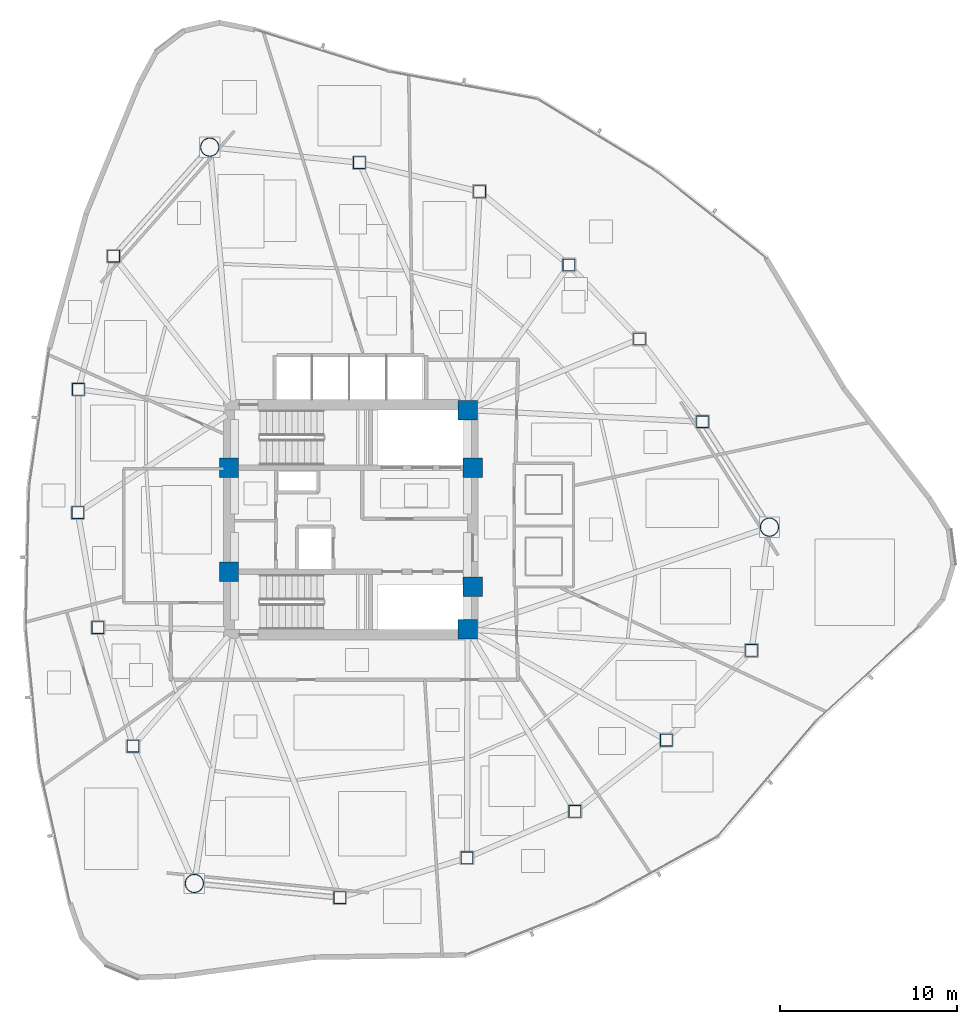
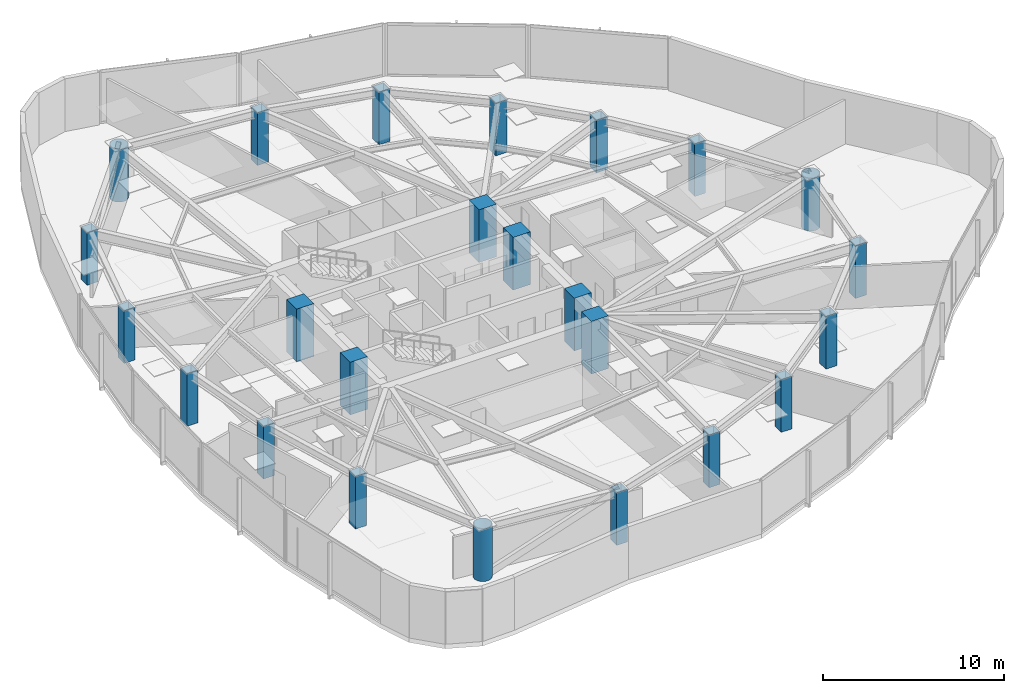
# One storey, part 1 of 16: 24 columns.
"""IFC4 building model written with IfcOpenShell, lengths in metres."""

import ifcopenshell
import ifcopenshell.guid

model = None  # the IFC model being written
_history = None  # IfcOwnerHistory: only IFC2X3 demands one
_inside = {}  # id of a spatial element -> (the spatial element, [elements in it])
_under = {}  # id of a project, library or spatial element -> (it, [spatial elements below it])
_declared = {}  # id of a project -> (the project, [libraries it declares])
_typed = {}  # id of a type object -> (the type object, [elements of that type])
_made_of = {}  # id of a material, layer set ... -> (it, [elements and type objects made of it])


def new_model(schema):
    """Start an empty IFC model of exactly this schema.

    Asked for "IFC4X3", IfcOpenShell would pick the latest addendum, in which some entities
    have other attributes; the version numbers below select the first issue.
    IFC2X3 requires an IfcOwnerHistory on every rooted entity: one is made here for all.
    """
    global model, _history
    if schema == "IFC4X3":
        model = ifcopenshell.file(schema_version=(4, 3, 0, 0))
    else:
        model = ifcopenshell.file(schema=schema)
    _inside.clear()
    _under.clear()
    _declared.clear()
    _typed.clear()
    _made_of.clear()
    _history = None
    if model.schema == "IFC2X3":
        org = make("IfcOrganization", Name="unknown")
        user = make(
            "IfcPersonAndOrganization",
            ThePerson=make("IfcPerson", FamilyName="unknown"),
            TheOrganization=org,
        )
        app = make(
            "IfcApplication",
            ApplicationDeveloper=org,
            Version="unknown",
            ApplicationFullName="unknown",
            ApplicationIdentifier="unknown",
        )
        _history = make(
            "IfcOwnerHistory",
            OwningUser=user,
            OwningApplication=app,
            ChangeAction="ADDED",
            CreationDate=0,
        )
    return model


def make(cls, **values):
    """One entity of the class cls with the attributes given. An attribute that is None is left unset."""
    return model.create_entity(
        cls, **{name: value for name, value in values.items() if value is not None}
    )


def rooted(cls, **values):
    """An entity with a GlobalId (a new one), such as an element, a storey or a relation."""
    return make(cls, GlobalId=ifcopenshell.guid.new(), OwnerHistory=_history, **values)


def si_unit(unit_type, name, prefix=None):
    """IfcSIUnit, for example si_unit("LENGTHUNIT", "METRE", prefix="MILLI")."""
    return make("IfcSIUnit", UnitType=unit_type, Prefix=prefix, Name=name)


def assignment(units):
    """IfcUnitAssignment: the units of a project."""
    return None if units is None else make("IfcUnitAssignment", Units=units)


def point(xyz):
    """IfcCartesianPoint."""
    return None if xyz is None else make("IfcCartesianPoint", Coordinates=xyz)


def direction(xyz):
    """IfcDirection."""
    return None if xyz is None else make("IfcDirection", DirectionRatios=xyz)


def frame(location, z_axis=None, x_axis=None):
    """IfcAxis2Placement3D, a coordinate frame: its origin and axes. An axis left out is left unset."""
    return make(
        "IfcAxis2Placement3D",
        Location=point(location),
        Axis=direction(z_axis),
        RefDirection=direction(x_axis),
    )


def frame_2d(location, x_axis=None):
    """IfcAxis2Placement2D, a coordinate frame in the plane: its origin and x axis."""
    return make(
        "IfcAxis2Placement2D", Location=point(location), RefDirection=direction(x_axis)
    )


def origin():
    """The frame at (0, 0, 0) with its axes left unset."""
    return frame((0.0, 0.0, 0.0))


def origin_2d():
    """The frame at (0, 0) in the plane with its x axis left unset."""
    return frame_2d((0.0, 0.0))


def place(relative_to, where):
    """IfcLocalPlacement: puts the frame where relative to a parent placement (None: the world)."""
    return make(
        "IfcLocalPlacement", PlacementRelTo=relative_to, RelativePlacement=where
    )


def context(
    kind, dimensions, precision=None, world=None, true_north=None, identifier=None
):
    """IfcGeometricRepresentationContext, for example the 3D "Model" context."""
    return make(
        "IfcGeometricRepresentationContext",
        ContextIdentifier=identifier,
        ContextType=kind,
        CoordinateSpaceDimension=dimensions,
        Precision=precision,
        WorldCoordinateSystem=world,
        TrueNorth=true_north,
    )


def subcontext(parent, identifier, kind, view, scale=None):
    """IfcGeometricRepresentationSubContext, for example "Body" below "Model"."""
    return make(
        "IfcGeometricRepresentationSubContext",
        ContextIdentifier=identifier,
        ContextType=kind,
        ParentContext=parent,
        TargetScale=scale,
        TargetView=view,
    )


def project(units=None, contexts=None):
    """IfcProject with its units and contexts."""
    return rooted(
        "IfcProject",
        Name="project",
        RepresentationContexts=contexts,
        UnitsInContext=assignment(units),
    )


def spatial(cls, under=None, at=None, **own):
    """A site, building, storey or space (cls), placed at a placement, below another one or the project."""
    s = rooted(cls, ObjectPlacement=at, **own)
    if under is not None:
        _under.setdefault(under.id(), (under, []))[1].append(s)
    return s


def profile(cls, at=None, kind="AREA", **sizes):
    """A parametric profile (cls). Its sizes go by their IFC names, for example OverallWidth=200.0."""
    return make(cls, ProfileType=kind, Position=at, **sizes)


def rectangle(**sizes):
    """IfcRectangleProfileDef."""
    return profile("IfcRectangleProfileDef", **sizes)


def hollow_rectangle(**sizes):
    """IfcRectangleHollowProfileDef."""
    return profile("IfcRectangleHollowProfileDef", **sizes)


def hollow_circle(**sizes):
    """IfcCircleHollowProfileDef."""
    return profile("IfcCircleHollowProfileDef", **sizes)


def extrude(swept, where, along, depth):
    """IfcExtrudedAreaSolid: the profile swept, set in the frame where, extruded along a direction by depth."""
    return make(
        "IfcExtrudedAreaSolid",
        SweptArea=swept,
        Position=where,
        ExtrudedDirection=direction(along),
        Depth=depth,
    )


def shape(context_of_items, identifier, shape_type, items):
    """IfcShapeRepresentation: the items that make up one representation, for example the "Body"."""
    return make(
        "IfcShapeRepresentation",
        ContextOfItems=context_of_items,
        RepresentationIdentifier=identifier,
        RepresentationType=shape_type,
        Items=items,
    )


def material(Name=None, Category=None):
    """IfcMaterial."""
    return make("IfcMaterial", Name=Name, Category=Category)


def material_profile(
    of_material, cross_section, Name=None, Category=None, Priority=None
):
    """IfcMaterialProfile: a cross section and its material."""
    return make(
        "IfcMaterialProfile",
        Name=Name,
        Material=of_material,
        Profile=cross_section,
        Priority=Priority,
        Category=Category,
    )


def profile_set(profiles, Name=None, composite=None):
    """IfcMaterialProfileSet."""
    return make(
        "IfcMaterialProfileSet",
        Name=Name,
        MaterialProfiles=profiles,
        CompositeProfile=composite,
    )


def made_of(thing, what):
    """Note that an element or type object is made of a material, layer set ...; save() writes the relation."""
    if what is not None:
        _made_of.setdefault(what.id(), (what, []))[1].append(thing)
    return thing


def type_object(cls, material=None, **own):
    """A type object (cls), such as IfcWallType, which elements share."""
    return made_of(rooted(cls, **own), material)


def element(
    cls,
    number,
    at=None,
    inside=None,
    cuts=None,
    type_object=None,
    material=None,
    context=None,
    identifier="Body",
    shape_type=None,
    held_by="IfcProductDefinitionShape",
    body=None,
    shapes=None,
    **own,
):
    """One element of the class cls, such as IfcWall. Its Tag is "e" and its number.

    at: its placement. inside: the storey or other place that contains it. cuts: it is an
    opening in that element (IfcRelVoidsElement). A single representation is given by context,
    identifier, shape_type and body (its items); several are given by shapes. held_by: the class
    of the entity that holds the representations. save() writes the other relations.
    """
    e = rooted(cls, Tag="e%d" % number, ObjectPlacement=at, **own)
    if body is not None:
        shapes = [shape(context, identifier, shape_type, body)]
    if shapes is not None:
        e.Representation = make(held_by, Representations=shapes)
    if inside is not None:
        _inside.setdefault(inside.id(), (inside, []))[1].append(e)
    if cuts is not None:
        rooted(
            "IfcRelVoidsElement", RelatingBuildingElement=cuts, RelatedOpeningElement=e
        )
    if type_object is not None:
        _typed.setdefault(type_object.id(), (type_object, []))[1].append(e)
    return made_of(e, material)


def aggregate(whole, parts):
    """IfcRelAggregates: a whole, such as a stair, and the parts it consists of."""
    return rooted("IfcRelAggregates", RelatingObject=whole, RelatedObjects=parts)


def save(model, path):
    """Write the relations noted so far, then the file.

    IfcRelAggregates (storeys below a building ...), IfcRelContainedInSpatialStructure (elements
    in a storey), IfcRelDefinesByType, IfcRelAssociatesMaterial and IfcRelDeclares: one each for
    every whole, place, type object, material and project.
    """
    for whole, parts in _under.values():
        aggregate(whole, parts)
    for where, things in _inside.values():
        rooted(
            "IfcRelContainedInSpatialStructure",
            RelatedElements=things,
            RelatingStructure=where,
        )
    for kind, things in _typed.values():
        rooted("IfcRelDefinesByType", RelatedObjects=things, RelatingType=kind)
    for what, things in _made_of.values():
        rooted("IfcRelAssociatesMaterial", RelatedObjects=things, RelatingMaterial=what)
    for by, libraries in _declared.values():
        rooted("IfcRelDeclares", RelatingContext=by, RelatedDefinitions=libraries)
    model.write(path)


model = new_model("IFC4")

# Units and contexts
model_context = context("Model", 3, precision=1e-05, world=origin(), true_north=direction((0.0, 1.0)))
body_context = subcontext(model_context, "Body", "Model", "MODEL_VIEW")
ifc_project = project(units=[si_unit("LENGTHUNIT", "METRE"), si_unit("AREAUNIT", "SQUARE_METRE"), si_unit("VOLUMEUNIT", "CUBIC_METRE"), si_unit("PLANEANGLEUNIT", "RADIAN"), si_unit("MASSUNIT", "GRAM", prefix="KILO")], contexts=[model_context])

# Site, building, storey
site_placement = place(None, origin())
site = spatial("IfcSite", under=ifc_project, at=site_placement, CompositionType="ELEMENT")
building_placement = place(site_placement, origin())
building = spatial("IfcBuilding", under=site, at=building_placement, Name="Tavelor Broadcast Tower", CompositionType="ELEMENT")
storey_placement = place(building_placement, frame((0.0, 0.0, 138.699951171875)))
storey = spatial("IfcBuildingStorey", under=building, at=storey_placement, Name="L32", CompositionType="ELEMENT", Elevation=138.699951171875)

# Columns
ifc_material_1 = material(Name="Concrete C60/75", Category="concrete")
ifc_material_profile_1 = material_profile(ifc_material_1, rectangle(XDim=1.10009765625, YDim=1.10009765625, at=origin_2d()), Name="RC 1100x1100")
ifc_profile_set_1 = profile_set([ifc_material_profile_1], Name="Concrete C60/75")
column_type_1 = type_object("IfcColumnType", Name="Core Embedded Composite Column RC1100", PredefinedType="COLUMN", material=ifc_profile_set_1)
for number, where, z_axis, x_axis, name in (
    (1, (43.10009765625, 47.949951171875, 0.0), (0.0, 0.0, 1.0), (1.0, 0.0, 0.0), "L32 Core Embedded Column 1"),
    (2, (56.89990234375, 47.949951171875, 0.0), (0.0, 0.0, 1.0), (1.0, 0.0, 0.0), "L32 Core Embedded Column 2"),
    (3, (56.60009765625, 51.199951171875, 0.0), (0.0, 0.0, 1.0), (1.0, 0.0, 0.0), "L32 Core Embedded Column 3"),
    (4, (43.10009765625, 42.050048828125, 0.0), (0.0, 0.0, 1.0), (1.0, 0.0, 0.0), "L32 Core Embedded Column 4"),
    (5, (56.89990234375, 41.199951171875, 0.0), (0.0, 0.0, 1.0), (1.0, 0.0, 0.0), "L32 Core Embedded Column 5"),
    (6, (56.60009765625, 38.800048828125, 0.0), (0.0, 0.0, 1.0), (1.0, 0.0, 0.0), "L32 Core Embedded Column 6"),
):
    element("IfcColumn", number, at=place(storey_placement, frame(where, z_axis=z_axis, x_axis=x_axis)), inside=storey, type_object=column_type_1, Name=name, PredefinedType="COLUMN", context=body_context, shape_type="SweptSolid", body=[
        extrude(rectangle(XDim=1.10009765625, YDim=1.10009765625, at=origin_2d()), origin(), (0.0, 0.0, 1.0), 3.550048828125),
    ])
ifc_material_2 = material(Name="Steel S460", Category="steel")
ifc_material_profile_2 = material_profile(ifc_material_2, hollow_rectangle(XDim=0.699951171875, YDim=0.699951171875, WallThickness=0.0400390625, at=origin_2d()), Name="SHS 700x700x40")
ifc_profile_set_2 = profile_set([ifc_material_profile_2], Name="Steel S460")
column_type_2 = type_object("IfcColumnType", Name="Perimeter Tube Column T3 SHS 700x700x40", PredefinedType="COLUMN", material=ifc_profile_set_2)
for number, where, z_axis, x_axis, name in (
    (7, (36.567626953125, 59.91064453125, 0.0), (0.0, 0.0, 1.0), (1.0, 0.0, 0.0), "L32 Perimeter Framed-Tube Column 02"),
    (8, (34.5751953125, 52.37939453125, 0.0), (0.0, 0.0, 1.0), (1.0, 0.0, 0.0), "L32 Perimeter Framed-Tube Column 03"),
    (9, (34.54638671875, 45.399169921875, 0.0), (0.0, 0.0, 1.0), (1.0, 0.0, 0.0), "L32 Perimeter Framed-Tube Column 04"),
    (10, (35.680908203125, 38.89990234375, 0.0), (0.0, 0.0, 1.0), (1.0, 0.0, 0.0), "L32 Perimeter Framed-Tube Column 05"),
    (11, (37.668212890625, 32.1904296875, 0.0), (0.0, 0.0, 1.0), (1.0, 0.0, 0.0), "L32 Perimeter Framed-Tube Column 06"),
    (12, (49.366455078125, 23.618896484375, 0.0), (0.0, 0.0, 1.0), (1.0, 0.0, 0.0), "L32 Perimeter Framed-Tube Column 08"),
    (13, (56.56103515625, 25.872802734375, 0.0), (0.0, 0.0, 1.0), (1.0, 0.0, 0.0), "L32 Perimeter Framed-Tube Column 09"),
    (14, (62.669189453125, 28.503173828125, 0.0), (0.0, 0.0, 1.0), (1.0, 0.0, 0.0), "L32 Perimeter Framed-Tube Column 10"),
    (15, (67.84228515625, 32.53173828125, 0.0), (0.0, 0.0, 1.0), (1.0, 0.0, 0.0), "L32 Perimeter Framed-Tube Column 11"),
    (16, (72.6591796875, 37.607421875, 0.0), (0.0, 0.0, 1.0), (1.0, 0.0, 0.0), "L32 Perimeter Framed-Tube Column 12"),
    (17, (69.885986328125, 50.544189453125, 0.0), (0.0, 0.0, 1.0), (1.0, 0.0, 0.0), "L32 Perimeter Framed-Tube Column 14"),
    (18, (66.322021484375, 55.228759765625, 0.0), (0.0, 0.0, 1.0), (1.0, 0.0, 0.0), "L32 Perimeter Framed-Tube Column 15"),
    (19, (62.330810546875, 59.416259765625, 0.0), (0.0, 0.0, 1.0), (1.0, 0.0, 0.0), "L32 Perimeter Framed-Tube Column 16"),
    (20, (57.276611328125, 63.568359375, 0.0), (0.0, 0.0, 1.0), (1.0, 0.0, 0.0), "L32 Perimeter Framed-Tube Column 17"),
    (21, (50.472412109375, 65.2021484375, 0.0), (0.0, 0.0, 1.0), (1.0, 0.0, 0.0), "L32 Perimeter Framed-Tube Column 18"),
):
    element("IfcColumn", number, at=place(storey_placement, frame(where, z_axis=z_axis, x_axis=x_axis)), inside=storey, type_object=column_type_2, Name=name, PredefinedType="COLUMN", context=body_context, shape_type="SweptSolid", body=[
        extrude(hollow_rectangle(XDim=0.699951171875, YDim=0.699951171875, WallThickness=0.0400390625, at=origin_2d()), origin(), (0.0, 0.0, 1.0), 3.550048828125),
    ])
ifc_material_profile_3 = material_profile(ifc_material_2, hollow_circle(Radius=0.533447265625, WallThickness=0.044921875, at=origin_2d()), Name="CHS 1067x45")
ifc_profile_set_3 = profile_set([ifc_material_profile_3], Name="Steel S460")
column_type_3 = type_object("IfcColumnType", Name="Tower Mega Column T3 CHS 1067x45", PredefinedType="COLUMN", material=ifc_profile_set_3)
for number, where, z_axis, x_axis, name in (
    (22, (42.01123046875, 66.080078125, 0.0), (0.0, 0.0, 1.0), (1.0, 0.0, 0.0), "L32 Tower Corner Mega Column 01"),
    (23, (41.138671875, 24.423828125, 0.0), (0.0, 0.0, 1.0), (1.0, 0.0, 0.0), "L32 Tower Corner Mega Column 07"),
    (24, (73.676025390625, 44.57958984375, 0.0), (0.0, 0.0, 1.0), (1.0, 0.0, 0.0), "L32 Tower Corner Mega Column 13"),
):
    element("IfcColumn", number, at=place(storey_placement, frame(where, z_axis=z_axis, x_axis=x_axis)), inside=storey, type_object=column_type_3, Name=name, PredefinedType="COLUMN", context=body_context, shape_type="SweptSolid", body=[
        extrude(hollow_circle(Radius=0.533447265625, WallThickness=0.044921875, at=origin_2d()), origin(), (0.0, 0.0, 1.0), 3.550048828125),
    ])

save(model, "model.ifc")
